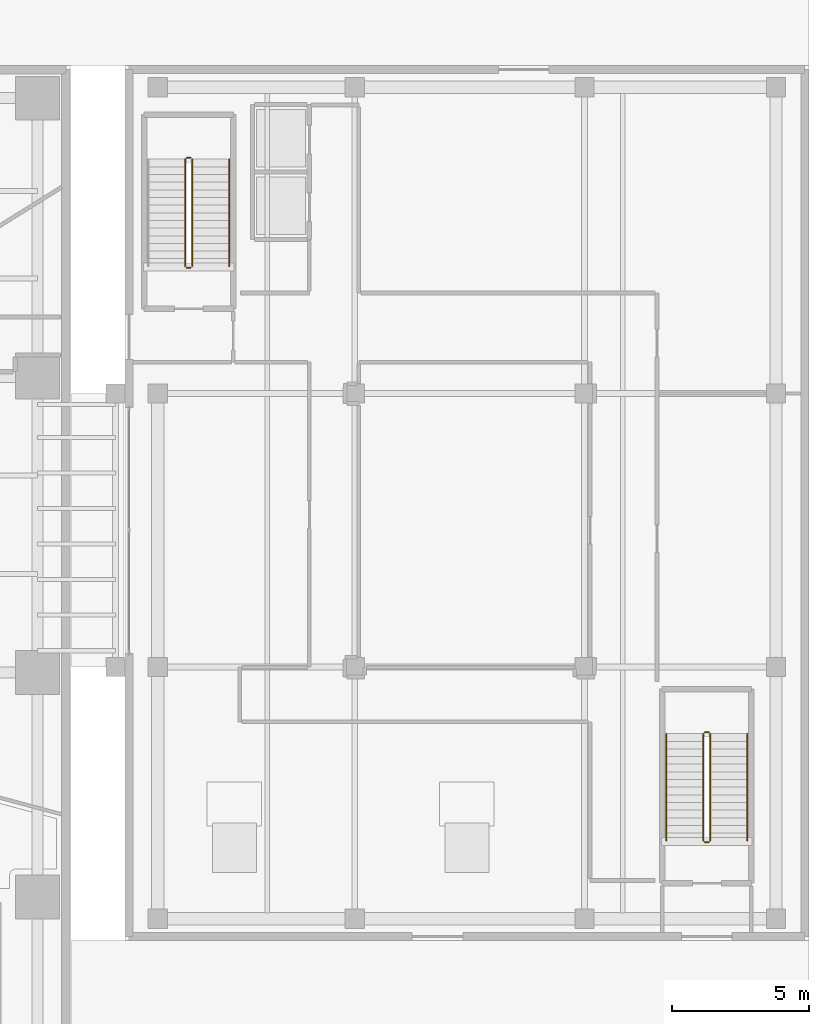
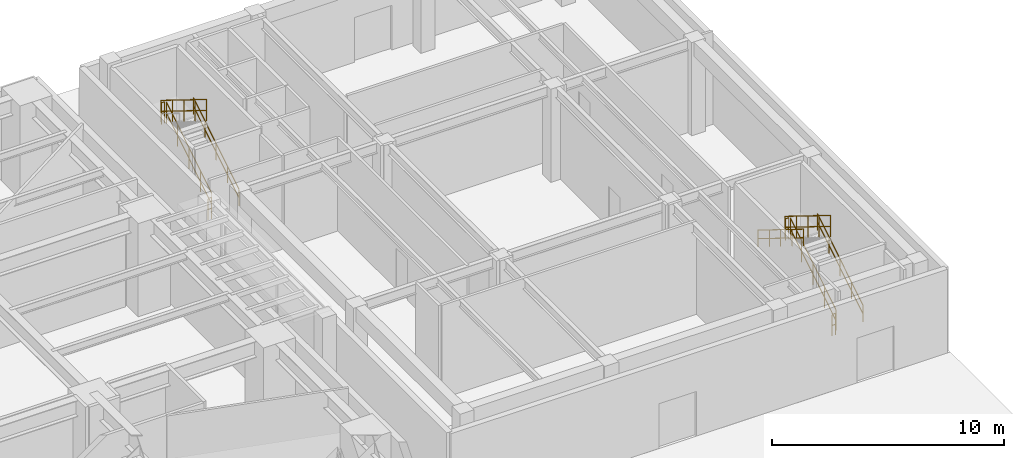
# One storey, part 27 of 28: 11 railings.
"""IFC4 building model written with IfcOpenShell, lengths in metres."""

from ifc_helpers import new_model, si_unit, direction, frame, origin, origin_2d, place, context, subcontext, project, spatial, circle, extrude, material, type_object, element, save


model = new_model("IFC4")

# Units and contexts
model_context = context("Model", 3, precision=1e-05, world=origin(), true_north=direction((0.0, 1.0)))
body_context = subcontext(model_context, "Body", "Model", "MODEL_VIEW")
ifc_project = project(units=[si_unit("LENGTHUNIT", "METRE"), si_unit("AREAUNIT", "SQUARE_METRE"), si_unit("VOLUMEUNIT", "CUBIC_METRE"), si_unit("PLANEANGLEUNIT", "RADIAN"), si_unit("MASSUNIT", "GRAM", prefix="KILO")], contexts=[model_context])

# Site, building, storey
site_placement = place(None, origin())
site = spatial("IfcSite", under=ifc_project, at=site_placement, CompositionType="ELEMENT")
building_placement = place(site_placement, origin())
building = spatial("IfcBuilding", under=site, at=building_placement, Name="Talar Marvaseh", CompositionType="ELEMENT")
storey_placement = place(building_placement, origin())
storey = spatial("IfcBuildingStorey", under=building, at=storey_placement, Name="L00", CompositionType="ELEMENT", Elevation=0.0)

# Railings
ifc_material = material(Name="Stainless Steel Grade 316", Category="steel")
railing_type_1 = type_object("IfcRailingType", Name="Brushed Stainless Wall Pitch Handrail 900", PredefinedType="HANDRAIL", material=ifc_material)
for number, where, name in (
    (1, (57.81005859375, 40.64990234375, 0.17333984375), "L00 MH-ST1 stair handrail 1"),
    (2, (76.75, 19.64990234375, 0.17333984375), "L00 MH-ST2 stair handrail 1"),
):
    element("IfcRailing", number, at=place(storey_placement, frame(where)), inside=storey, type_object=railing_type_1, Name=name, PredefinedType="HANDRAIL", context=body_context, shape_type="SweptSolid", body=[
        extrude(circle(Radius=0.02392578125, at=origin_2d()), frame((0.0, 0.0, 0.8759765625), z_axis=(0.0, 0.850266275192, 0.526352791643), x_axis=(-1.0, 0.0, 0.0)), (0.0, 0.0, 1.0), 4.610595703125),
        extrude(circle(Radius=0.02392578125, at=origin_2d()), frame((0.0, 0.0, 0.42578125), z_axis=(0.0, 0.850266275192, 0.526352791643), x_axis=(-1.0, 0.0, 0.0)), (0.0, 0.0, 1.0), 4.610595703125),
        extrude(circle(Radius=0.02099609375, at=origin_2d()), origin(), (0.0, 0.0, 1.0), 0.851806640625),
        extrude(circle(Radius=0.02099609375, at=origin_2d()), frame((0.0, 0.97998046875, 0.606689453125)), (0.0, 0.0, 1.0), 0.851806640625),
        extrude(circle(Radius=0.02099609375, at=origin_2d()), frame((0.0, 1.9599609375, 1.21337890625)), (0.0, 0.0, 1.0), 0.851806640625),
        extrude(circle(Radius=0.02099609375, at=origin_2d()), frame((0.0, 2.940185546875, 1.820068359375)), (0.0, 0.0, 1.0), 0.851806640625),
        extrude(circle(Radius=0.02099609375, at=origin_2d()), frame((0.0, 3.920166015625, 2.4267578125)), (0.0, 0.0, 1.0), 0.851806640625),
    ])
railing_1_placement = place(storey_placement, frame((73.7900390625, 23.570068359375, 2.7734375)))
element("IfcRailing", 3, at=railing_1_placement, inside=storey, type_object=railing_type_1, Name="L00 MH-ST2 stair handrail 2", PredefinedType="HANDRAIL", context=body_context, shape_type="SweptSolid", body=[
    extrude(circle(Radius=0.02392578125, at=origin_2d()), frame((0.0, 0.0, 0.8759765625), z_axis=(0.0, -0.850289973577, 0.526314507528), x_axis=(1.0, 0.0, 0.0)), (0.0, 0.0, 1.0), 4.6103515625),
    extrude(circle(Radius=0.02392578125, at=origin_2d()), frame((0.0, 0.0, 0.42578125), z_axis=(0.0, -0.850289973577, 0.526314507528), x_axis=(1.0, 0.0, 0.0)), (0.0, 0.0, 1.0), 4.6103515625),
    extrude(circle(Radius=0.02099609375, at=origin_2d()), origin(), (0.0, 0.0, 1.0), 0.851806640625),
    extrude(circle(Radius=0.02099609375, at=origin_2d()), frame((0.0, -0.97998046875, 0.606689453125)), (0.0, 0.0, 1.0), 0.851806640625),
    extrude(circle(Radius=0.02099609375, at=origin_2d()), frame((0.0, -1.9599609375, 1.21337890625)), (0.0, 0.0, 1.0), 0.851806640625),
    extrude(circle(Radius=0.02099609375, at=origin_2d()), frame((0.0, -2.940185546875, 1.81982421875)), (0.0, 0.0, 1.0), 0.851806640625),
    extrude(circle(Radius=0.02099609375, at=origin_2d()), frame((0.0, -3.920166015625, 2.426513671875)), (0.0, 0.0, 1.0), 0.851806640625),
])
railing_type_2 = type_object("IfcRailingType", Name="Painted Steel Core Stair Well Guardrail 1150", PredefinedType="GUARDRAIL", material=ifc_material)
railing_2_placement = place(storey_placement, frame((56.4599609375, 40.64990234375, 0.17333984375)))
element("IfcRailing", 4, at=railing_2_placement, inside=storey, type_object=railing_type_2, Name="L00 MH-ST1 stair guard 1", PredefinedType="GUARDRAIL", context=body_context, shape_type="SweptSolid", body=[
    extrude(circle(Radius=0.02392578125, at=origin_2d()), frame((0.0, 0.0, 1.1259765625), z_axis=(0.0, 0.850266275192, 0.526352791643), x_axis=(-1.0, 0.0, 0.0)), (0.0, 0.0, 1.0), 4.610595703125),
    extrude(circle(Radius=0.02392578125, at=origin_2d()), frame((0.0, 0.0, 0.55078125), z_axis=(0.0, 0.850266275192, 0.526352791643), x_axis=(-1.0, 0.0, 0.0)), (0.0, 0.0, 1.0), 4.610595703125),
    extrude(circle(Radius=0.02099609375, at=origin_2d()), origin(), (0.0, 0.0, 1.0), 1.101806640625),
    extrude(circle(Radius=0.02099609375, at=origin_2d()), frame((0.0, 0.97998046875, 0.606689453125)), (0.0, 0.0, 1.0), 1.101806640625),
    extrude(circle(Radius=0.02099609375, at=origin_2d()), frame((0.0, 1.9599609375, 1.21337890625)), (0.0, 0.0, 1.0), 1.101806640625),
    extrude(circle(Radius=0.02099609375, at=origin_2d()), frame((0.0, 2.940185546875, 1.820068359375)), (0.0, 0.0, 1.0), 1.101806640625),
    extrude(circle(Radius=0.02099609375, at=origin_2d()), frame((0.0, 3.920166015625, 2.4267578125)), (0.0, 0.0, 1.0), 1.101806640625),
])
railing_3_placement = place(storey_placement, frame((56.409912109375, 44.6201171875, 2.60009765625)))
element("IfcRailing", 5, at=railing_3_placement, inside=storey, type_object=railing_type_2, Name="L00 MH-ST1 stair guard 2", PredefinedType="GUARDRAIL", context=body_context, shape_type="SweptSolid", body=[
    extrude(circle(Radius=0.02392578125, at=origin_2d()), frame((0.0, 0.0, 1.1259765625), z_axis=(-1.0, 0.0, 0.0), x_axis=(0.0, -1.0, 0.0)), (0.0, 0.0, 1.0), 0.159912109375),
    extrude(circle(Radius=0.02392578125, at=origin_2d()), frame((0.0, 0.0, 0.55078125), z_axis=(-1.0, 0.0, 0.0), x_axis=(0.0, -1.0, 0.0)), (0.0, 0.0, 1.0), 0.159912109375),
    extrude(circle(Radius=0.02099609375, at=origin_2d()), origin(), (0.0, 0.0, 1.0), 1.101806640625),
    extrude(circle(Radius=0.02099609375, at=origin_2d()), frame((-0.159912109375, 0.0, 0.0)), (0.0, 0.0, 1.0), 1.101806640625),
])
railing_4_placement = place(storey_placement, frame((56.199951171875, 44.570068359375, 2.7734375)))
element("IfcRailing", 6, at=railing_4_placement, inside=storey, type_object=railing_type_2, Name="L00 MH-ST1 stair guard 3", PredefinedType="GUARDRAIL", context=body_context, shape_type="SweptSolid", body=[
    extrude(circle(Radius=0.02392578125, at=origin_2d()), frame((0.0, 0.0, 1.1259765625), z_axis=(0.0, -0.850289973577, 0.526314507528), x_axis=(1.0, 0.0, 0.0)), (0.0, 0.0, 1.0), 4.6103515625),
    extrude(circle(Radius=0.02392578125, at=origin_2d()), frame((0.0, 0.0, 0.55078125), z_axis=(0.0, -0.850289973577, 0.526314507528), x_axis=(1.0, 0.0, 0.0)), (0.0, 0.0, 1.0), 4.6103515625),
    extrude(circle(Radius=0.02099609375, at=origin_2d()), origin(), (0.0, 0.0, 1.0), 1.101806640625),
    extrude(circle(Radius=0.02099609375, at=origin_2d()), frame((0.0, -0.97998046875, 0.606689453125)), (0.0, 0.0, 1.0), 1.101806640625),
    extrude(circle(Radius=0.02099609375, at=origin_2d()), frame((0.0, -1.9599609375, 1.21337890625)), (0.0, 0.0, 1.0), 1.101806640625),
    extrude(circle(Radius=0.02099609375, at=origin_2d()), frame((0.0, -2.940185546875, 1.81982421875)), (0.0, 0.0, 1.0), 1.101806640625),
    extrude(circle(Radius=0.02099609375, at=origin_2d()), frame((0.0, -3.920166015625, 2.426513671875)), (0.0, 0.0, 1.0), 1.101806640625),
])
railing_5_placement = place(storey_placement, frame((56.409912109375, 40.60009765625, 0.0)))
element("IfcRailing", 7, at=railing_5_placement, inside=storey, type_object=railing_type_2, Name="L00 MH-ST1 stair guard 4", PredefinedType="GUARDRAIL", context=body_context, shape_type="SweptSolid", body=[
    extrude(circle(Radius=0.02392578125, at=origin_2d()), frame((0.0, 0.0, 1.1259765625), z_axis=(-1.0, 0.0, 0.0), x_axis=(0.0, -1.0, 0.0)), (0.0, 0.0, 1.0), 0.159912109375),
    extrude(circle(Radius=0.02392578125, at=origin_2d()), frame((0.0, 0.0, 0.55078125), z_axis=(-1.0, 0.0, 0.0), x_axis=(0.0, -1.0, 0.0)), (0.0, 0.0, 1.0), 0.159912109375),
    extrude(circle(Radius=0.02099609375, at=origin_2d()), origin(), (0.0, 0.0, 1.0), 1.101806640625),
    extrude(circle(Radius=0.02099609375, at=origin_2d()), frame((-0.159912109375, 0.0, 0.0)), (0.0, 0.0, 1.0), 1.101806640625),
])
railing_6_placement = place(storey_placement, frame((75.39990234375, 19.64990234375, 0.17333984375)))
element("IfcRailing", 8, at=railing_6_placement, inside=storey, type_object=railing_type_2, Name="L00 MH-ST2 stair guard 1", PredefinedType="GUARDRAIL", context=body_context, shape_type="SweptSolid", body=[
    extrude(circle(Radius=0.02392578125, at=origin_2d()), frame((0.0, 0.0, 1.1259765625), z_axis=(0.0, 0.850266275192, 0.526352791643), x_axis=(-1.0, 0.0, 0.0)), (0.0, 0.0, 1.0), 4.610595703125),
    extrude(circle(Radius=0.02392578125, at=origin_2d()), frame((0.0, 0.0, 0.55078125), z_axis=(0.0, 0.850266275192, 0.526352791643), x_axis=(-1.0, 0.0, 0.0)), (0.0, 0.0, 1.0), 4.610595703125),
    extrude(circle(Radius=0.02099609375, at=origin_2d()), origin(), (0.0, 0.0, 1.0), 1.101806640625),
    extrude(circle(Radius=0.02099609375, at=origin_2d()), frame((0.0, 0.97998046875, 0.606689453125)), (0.0, 0.0, 1.0), 1.101806640625),
    extrude(circle(Radius=0.02099609375, at=origin_2d()), frame((0.0, 1.9599609375, 1.21337890625)), (0.0, 0.0, 1.0), 1.101806640625),
    extrude(circle(Radius=0.02099609375, at=origin_2d()), frame((0.0, 2.940185546875, 1.820068359375)), (0.0, 0.0, 1.0), 1.101806640625),
    extrude(circle(Radius=0.02099609375, at=origin_2d()), frame((0.0, 3.920166015625, 2.4267578125)), (0.0, 0.0, 1.0), 1.101806640625),
])
railing_7_placement = place(storey_placement, frame((75.35009765625, 23.6201171875, 2.60009765625)))
element("IfcRailing", 9, at=railing_7_placement, inside=storey, type_object=railing_type_2, Name="L00 MH-ST2 stair guard 2", PredefinedType="GUARDRAIL", context=body_context, shape_type="SweptSolid", body=[
    extrude(circle(Radius=0.02392578125, at=origin_2d()), frame((0.0, 0.0, 1.1259765625), z_axis=(-1.0, 0.0, 0.0), x_axis=(0.0, -1.0, 0.0)), (0.0, 0.0, 1.0), 0.16015625),
    extrude(circle(Radius=0.02392578125, at=origin_2d()), frame((0.0, 0.0, 0.55078125), z_axis=(-1.0, 0.0, 0.0), x_axis=(0.0, -1.0, 0.0)), (0.0, 0.0, 1.0), 0.16015625),
    extrude(circle(Radius=0.02099609375, at=origin_2d()), origin(), (0.0, 0.0, 1.0), 1.101806640625),
    extrude(circle(Radius=0.02099609375, at=origin_2d()), frame((-0.16015625, 0.0, 0.0)), (0.0, 0.0, 1.0), 1.101806640625),
])
railing_8_placement = place(storey_placement, frame((75.139892578125, 23.570068359375, 2.7734375)))
element("IfcRailing", 10, at=railing_8_placement, inside=storey, type_object=railing_type_2, Name="L00 MH-ST2 stair guard 3", PredefinedType="GUARDRAIL", context=body_context, shape_type="SweptSolid", body=[
    extrude(circle(Radius=0.02392578125, at=origin_2d()), frame((0.0, 0.0, 1.1259765625), z_axis=(0.0, -0.850289973577, 0.526314507528), x_axis=(1.0, 0.0, 0.0)), (0.0, 0.0, 1.0), 4.6103515625),
    extrude(circle(Radius=0.02392578125, at=origin_2d()), frame((0.0, 0.0, 0.55078125), z_axis=(0.0, -0.850289973577, 0.526314507528), x_axis=(1.0, 0.0, 0.0)), (0.0, 0.0, 1.0), 4.6103515625),
    extrude(circle(Radius=0.02099609375, at=origin_2d()), origin(), (0.0, 0.0, 1.0), 1.101806640625),
    extrude(circle(Radius=0.02099609375, at=origin_2d()), frame((0.0, -0.97998046875, 0.606689453125)), (0.0, 0.0, 1.0), 1.101806640625),
    extrude(circle(Radius=0.02099609375, at=origin_2d()), frame((0.0, -1.9599609375, 1.21337890625)), (0.0, 0.0, 1.0), 1.101806640625),
    extrude(circle(Radius=0.02099609375, at=origin_2d()), frame((0.0, -2.940185546875, 1.81982421875)), (0.0, 0.0, 1.0), 1.101806640625),
    extrude(circle(Radius=0.02099609375, at=origin_2d()), frame((0.0, -3.920166015625, 2.426513671875)), (0.0, 0.0, 1.0), 1.101806640625),
])
railing_9_placement = place(storey_placement, frame((75.35009765625, 19.60009765625, 0.0)))
element("IfcRailing", 11, at=railing_9_placement, inside=storey, type_object=railing_type_2, Name="L00 MH-ST2 stair guard 4", PredefinedType="GUARDRAIL", context=body_context, shape_type="SweptSolid", body=[
    extrude(circle(Radius=0.02392578125, at=origin_2d()), frame((0.0, 0.0, 1.1259765625), z_axis=(-1.0, 0.0, 0.0), x_axis=(0.0, -1.0, 0.0)), (0.0, 0.0, 1.0), 0.16015625),
    extrude(circle(Radius=0.02392578125, at=origin_2d()), frame((0.0, 0.0, 0.55078125), z_axis=(-1.0, 0.0, 0.0), x_axis=(0.0, -1.0, 0.0)), (0.0, 0.0, 1.0), 0.16015625),
    extrude(circle(Radius=0.02099609375, at=origin_2d()), origin(), (0.0, 0.0, 1.0), 1.101806640625),
    extrude(circle(Radius=0.02099609375, at=origin_2d()), frame((-0.16015625, 0.0, 0.0)), (0.0, 0.0, 1.0), 1.101806640625),
])

save(model, "model.ifc")
